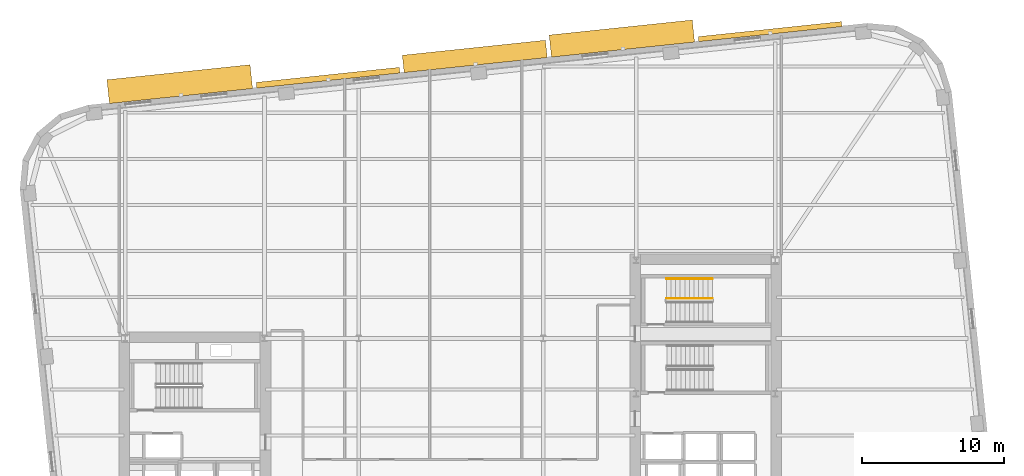
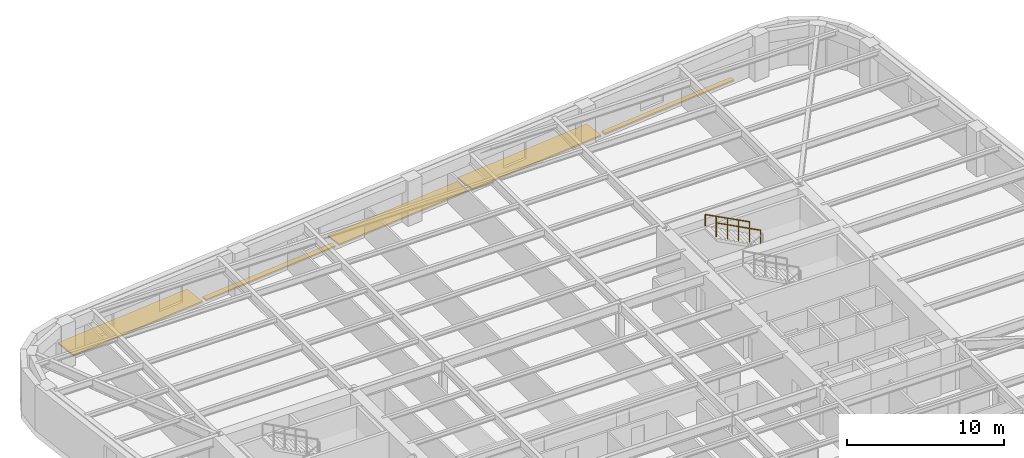
# One storey, part 11 of 11: 5 shading devices, 2 railings.
"""IFC4 building model written with IfcOpenShell, lengths in metres."""

from ifc_helpers import new_model, si_unit, direction, frame, origin, origin_2d, place, context, subcontext, project, spatial, rectangle, circle, extrude, material, type_object, element, save


model = new_model("IFC4")

# Units and contexts
model_context = context("Model", 3, precision=1e-05, world=origin(), true_north=direction((0.0, 1.0)))
body_context = subcontext(model_context, "Body", "Model", "MODEL_VIEW")
ifc_project = project(units=[si_unit("LENGTHUNIT", "METRE"), si_unit("AREAUNIT", "SQUARE_METRE"), si_unit("VOLUMEUNIT", "CUBIC_METRE"), si_unit("PLANEANGLEUNIT", "RADIAN"), si_unit("MASSUNIT", "GRAM", prefix="KILO")], contexts=[model_context])

# Site, building, storey
site_placement = place(None, origin())
site = spatial("IfcSite", under=ifc_project, at=site_placement, CompositionType="ELEMENT")
building_placement = place(site_placement, origin())
building = spatial("IfcBuilding", under=site, at=building_placement, Name="Kolvaren Arena Tower", CompositionType="ELEMENT")
storey_placement = place(building_placement, frame((0.0, 0.0, 99.699951171875)))
storey = spatial("IfcBuildingStorey", under=building, at=storey_placement, Name="L22", CompositionType="ELEMENT", Elevation=99.699951171875)

# Railings
ifc_material_1 = material(Name="Painted galvanized steel", Category="steel")
railing_type_1 = type_object("IfcRailingType", Name="GUARD-ST-110", PredefinedType="GUARDRAIL", material=ifc_material_1)
railing_1_placement = place(storey_placement, frame((55.919921875, 36.64990234375, 2.04541015625)))
element("IfcRailing", 1, at=railing_1_placement, inside=storey, type_object=railing_type_1, Name="L22 ST-E2 stair guard 3", PredefinedType="GUARDRAIL", context=body_context, shape_type="SweptSolid", body=[
    extrude(circle(Radius=0.02392578125, at=origin_2d()), frame((0.0, 0.0, 1.076171875), z_axis=(-0.884993431791, 0.0, 0.465603506952), x_axis=(0.0, -1.0, 0.0)), (0.0, 0.0, 1.0), 3.6611328125),
    extrude(circle(Radius=0.02099609375, at=origin_2d()), origin(), (0.0, 0.0, 1.0), 1.052001953125),
    extrude(circle(Radius=0.02099609375, at=origin_2d()), frame((-0.81005859375, 0.0, 0.42626953125)), (0.0, 0.0, 1.0), 1.052001953125),
    extrude(circle(Radius=0.02099609375, at=origin_2d()), frame((-1.6201171875, 0.0, 0.852294921875)), (0.0, 0.0, 1.0), 1.052001953125),
    extrude(circle(Radius=0.02099609375, at=origin_2d()), frame((-2.429931640625, 0.0, 1.2783203125)), (0.0, 0.0, 1.0), 1.052001953125),
    extrude(circle(Radius=0.02099609375, at=origin_2d()), frame((-3.239990234375, 0.0, 1.70458984375)), (0.0, 0.0, 1.0), 1.052001953125),
])
ifc_material_2 = material(Name="Brushed stainless steel handrail", Category="steel")
railing_type_2 = type_object("IfcRailingType", Name="HRAIL-900", PredefinedType="HANDRAIL", material=ifc_material_2)
railing_2_placement = place(storey_placement, frame((55.919921875, 38.050048828125, 2.04541015625)))
element("IfcRailing", 2, at=railing_2_placement, inside=storey, type_object=railing_type_2, Name="L22 ST-E2 stair handrail 2", PredefinedType="HANDRAIL", context=body_context, shape_type="SweptSolid", body=[
    extrude(circle(Radius=0.02392578125, at=origin_2d()), frame((0.0, 0.0, 0.8759765625), z_axis=(-0.884993431791, 0.0, 0.465603506952), x_axis=(0.0, -1.0, 0.0)), (0.0, 0.0, 1.0), 3.6611328125),
    extrude(circle(Radius=0.02099609375, at=origin_2d()), origin(), (0.0, 0.0, 1.0), 0.851806640625),
    extrude(circle(Radius=0.02099609375, at=origin_2d()), frame((-0.81005859375, 0.0, 0.42626953125)), (0.0, 0.0, 1.0), 0.851806640625),
    extrude(circle(Radius=0.02099609375, at=origin_2d()), frame((-1.6201171875, 0.0, 0.852294921875)), (0.0, 0.0, 1.0), 0.851806640625),
    extrude(circle(Radius=0.02099609375, at=origin_2d()), frame((-2.429931640625, 0.0, 1.2783203125)), (0.0, 0.0, 1.0), 0.851806640625),
    extrude(circle(Radius=0.02099609375, at=origin_2d()), frame((-3.239990234375, 0.0, 1.70458984375)), (0.0, 0.0, 1.0), 0.851806640625),
])

# Shading devices
ifc_material_3 = material(Name="Architectural precast GFRC and anodised aluminium sunshade", Category="concrete")
shading_device_type_1 = type_object("IfcShadingDeviceType", Name="SHAD-SINE-A", PredefinedType="USERDEFINED", material=ifc_material_3)
shading_device_1_placement = place(storey_placement, frame((28.83740234375, 52.21875, -0.139892578125), z_axis=(0.0, 0.0, 1.0), x_axis=(0.994522077803, 0.104526727499, 0.0)))
element("IfcShadingDevice", 3, at=shading_device_1_placement, inside=storey, type_object=shading_device_type_1, Name="Sinusoidal Slab-Edge Sunshade Louvre (L22)", ObjectType="LOUVRE", PredefinedType="USERDEFINED", context=body_context, shape_type="SweptSolid", body=[
    extrude(rectangle(XDim=10.139892578125, YDim=0.40625, at=origin_2d()), origin(), (0.0, 0.0, 1.0), 0.1201171875),
])
shading_device_2_placement = place(storey_placement, frame((39.177001953125, 53.719970703125, -0.139892578125), z_axis=(0.0, 0.0, 1.0), x_axis=(0.994522077803, 0.104526727499, 0.0)))
element("IfcShadingDevice", 4, at=shading_device_2_placement, inside=storey, type_object=shading_device_type_1, Name="Sinusoidal Slab-Edge Sunshade Louvre (L22)", ObjectType="LOUVRE", PredefinedType="USERDEFINED", context=body_context, shape_type="SweptSolid", body=[
    extrude(rectangle(XDim=10.139892578125, YDim=1.23046875, at=origin_2d()), origin(), (0.0, 0.0, 1.0), 0.1201171875),
])
shading_device_3_placement = place(storey_placement, frame((59.988525390625, 55.467529296875, -0.139892578125), z_axis=(0.0, 0.0, 1.0), x_axis=(0.994522077803, 0.104526727499, 0.0)))
element("IfcShadingDevice", 5, at=shading_device_3_placement, inside=storey, type_object=shading_device_type_1, Name="Sinusoidal Slab-Edge Sunshade Louvre (L22)", ObjectType="LOUVRE", PredefinedType="USERDEFINED", context=body_context, shape_type="SweptSolid", body=[
    extrude(rectangle(XDim=10.139892578125, YDim=0.356201171875, at=origin_2d()), origin(), (0.0, 0.0, 1.0), 0.1201171875),
])
shading_device_type_2 = type_object("IfcShadingDeviceType", Name="SHAD-SINE-B", PredefinedType="JALOUSIE", material=ifc_material_3)
shading_device_4_placement = place(storey_placement, frame((18.3876953125, 51.76513671875, -0.139892578125), z_axis=(0.0, 0.0, 1.0), x_axis=(0.994522077803, 0.104526727499, 0.0)))
element("IfcShadingDevice", 6, at=shading_device_4_placement, inside=storey, type_object=shading_device_type_2, Name="Sinusoidal Slab-Edge Sunshade Louvre (L22)", PredefinedType="JALOUSIE", context=body_context, shape_type="SweptSolid", body=[
    extrude(rectangle(XDim=10.139892578125, YDim=1.688720703125, at=origin_2d()), origin(), (0.0, 0.0, 1.0), 0.1201171875),
])
shading_device_5_placement = place(storey_placement, frame((49.54248046875, 54.9775390625, -0.139892578125), z_axis=(0.0, 0.0, 1.0), x_axis=(0.994522077803, 0.104526727499, 0.0)))
element("IfcShadingDevice", 7, at=shading_device_5_placement, inside=storey, type_object=shading_device_type_2, Name="Sinusoidal Slab-Edge Sunshade Louvre (L22)", PredefinedType="JALOUSIE", context=body_context, shape_type="SweptSolid", body=[
    extrude(rectangle(XDim=10.139892578125, YDim=1.56494140625, at=origin_2d()), origin(), (0.0, 0.0, 1.0), 0.1201171875),
])

save(model, "model.ifc")
